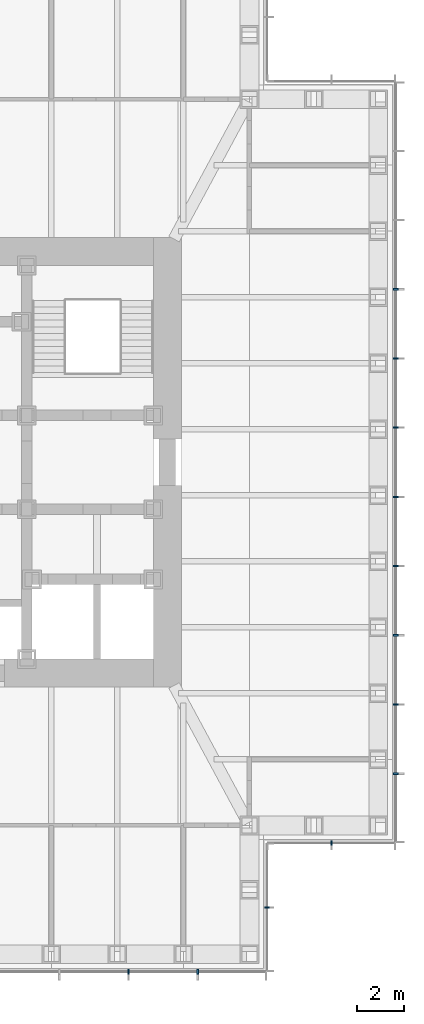
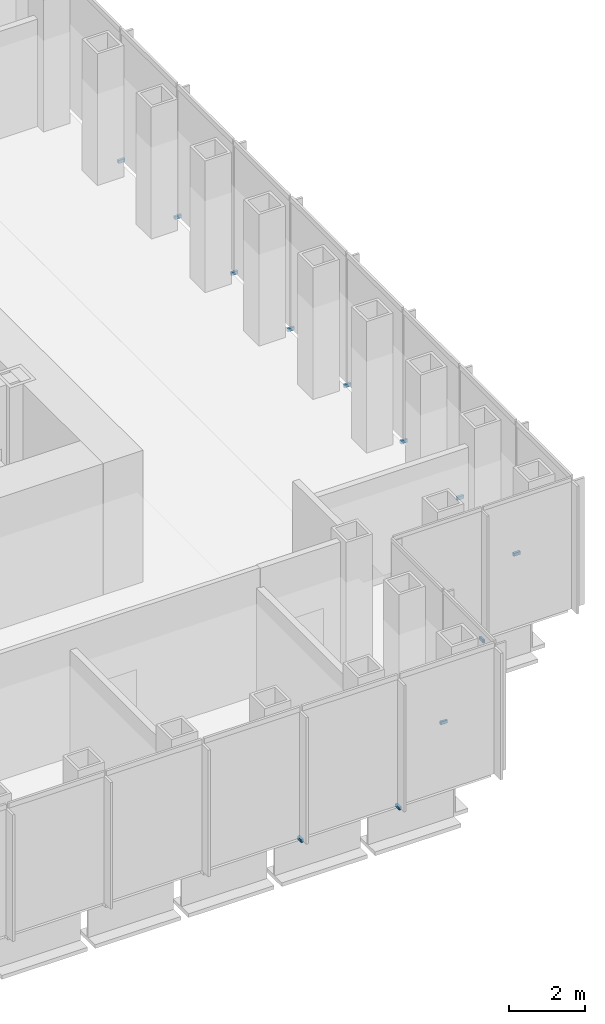
# One storey, part 13 of 16: 12 discrete accessories.
"""IFC4 building model written with IfcOpenShell, lengths in metres."""

from ifc_helpers import new_model, si_unit, direction, frame, origin, origin_2d, place, context, subcontext, project, spatial, rectangle, extrude, element, save


model = new_model("IFC4")

# Units and contexts
model_context = context("Model", 3, precision=1e-05, world=origin(), true_north=direction((0.0, 1.0)))
body_context = subcontext(model_context, "Body", "Model", "MODEL_VIEW")
ifc_project = project(units=[si_unit("LENGTHUNIT", "METRE"), si_unit("AREAUNIT", "SQUARE_METRE"), si_unit("VOLUMEUNIT", "CUBIC_METRE"), si_unit("PLANEANGLEUNIT", "RADIAN"), si_unit("MASSUNIT", "GRAM", prefix="KILO")], contexts=[model_context])

# Site, building, storey
site_placement = place(None, origin())
site = spatial("IfcSite", under=ifc_project, at=site_placement, CompositionType="ELEMENT")
building_placement = place(site_placement, origin())
building = spatial("IfcBuilding", under=site, at=building_placement, Name="Daluyong Arena Tower", CompositionType="ELEMENT")
storey_placement = place(building_placement, frame((0.0, 0.0, 227.5)))
storey = spatial("IfcBuildingStorey", under=building, at=storey_placement, Name="L51", CompositionType="ELEMENT", Elevation=227.5)

# Discrete accessories
for number, where, z_axis, x_axis, name in (
    (1, (66.3408203125, 58.25, -0.10009765625), (0.0, 0.0, 1.0), (1.0, 0.0, 0.0), "curtain wall L51 S anchor bracket 10"),
    (2, (69.29541015625, 58.25, -0.10009765625), (0.0, 0.0, 1.0), (1.0, 0.0, 0.0), "curtain wall L51 S anchor bracket 11"),
):
    element("IfcDiscreteAccessory", number, at=place(storey_placement, frame(where, z_axis=z_axis, x_axis=x_axis)), inside=storey, Name=name, PredefinedType="BRACKET", context=body_context, shape_type="SweptSolid", body=[
        extrude(rectangle(XDim=0.070068359375, YDim=0.199951171875, at=origin_2d()), origin(), (0.0, 0.0, 1.0), 0.10009765625),
    ])
for number, where, z_axis, x_axis, name in (
    (3, (72.25, 61.0, -0.10009765625), (0.0, 0.0, 1.0), (0.0, 1.0, 0.0), "curtain wall L51 SE-E anchor bracket 2"),
    (4, (75.0, 63.75, -0.10009765625), (0.0, 0.0, 1.0), (1.0, 0.0, 0.0), "curtain wall L51 SE-S anchor bracket 2"),
):
    element("IfcDiscreteAccessory", number, at=place(storey_placement, frame(where, z_axis=z_axis, x_axis=x_axis)), inside=storey, Name=name, PredefinedType="BRACKET", context=body_context, shape_type="SweptSolid", body=[
        extrude(rectangle(XDim=0.06005859375, YDim=0.199951171875, at=origin_2d()), origin(), (0.0, 0.0, 1.0), 0.10009765625),
    ])
for number, where, z_axis, x_axis, name in (
    (5, (77.75, 66.70458984375, -0.10009765625), (0.0, 0.0, 1.0), (0.0, 1.0, 0.0), "curtain wall L51 E anchor bracket 2"),
    (6, (77.75, 69.6591796875, -0.10009765625), (0.0, 0.0, 1.0), (0.0, 1.0, 0.0), "curtain wall L51 E anchor bracket 3"),
    (7, (77.75, 72.613525390625, -0.10009765625), (0.0, 0.0, 1.0), (0.0, 1.0, 0.0), "curtain wall L51 E anchor bracket 4"),
    (8, (77.75, 75.568115234375, -0.10009765625), (0.0, 0.0, 1.0), (0.0, 1.0, 0.0), "curtain wall L51 E anchor bracket 5"),
    (9, (77.75, 78.522705078125, -0.10009765625), (0.0, 0.0, 1.0), (0.0, 1.0, 0.0), "curtain wall L51 E anchor bracket 6"),
    (10, (77.75, 81.477294921875, -0.10009765625), (0.0, 0.0, 1.0), (0.0, 1.0, 0.0), "curtain wall L51 E anchor bracket 7"),
    (11, (77.75, 84.431884765625, -0.10009765625), (0.0, 0.0, 1.0), (0.0, 1.0, 0.0), "curtain wall L51 E anchor bracket 8"),
    (12, (77.75, 87.386474609375, -0.10009765625), (0.0, 0.0, 1.0), (0.0, 1.0, 0.0), "curtain wall L51 E anchor bracket 9"),
):
    element("IfcDiscreteAccessory", number, at=place(storey_placement, frame(where, z_axis=z_axis, x_axis=x_axis)), inside=storey, Name=name, PredefinedType="BRACKET", context=body_context, shape_type="SweptSolid", body=[
        extrude(rectangle(XDim=0.070068359375, YDim=0.199951171875, at=origin_2d()), origin(), (0.0, 0.0, 1.0), 0.10009765625),
    ])

save(model, "model.ifc")
